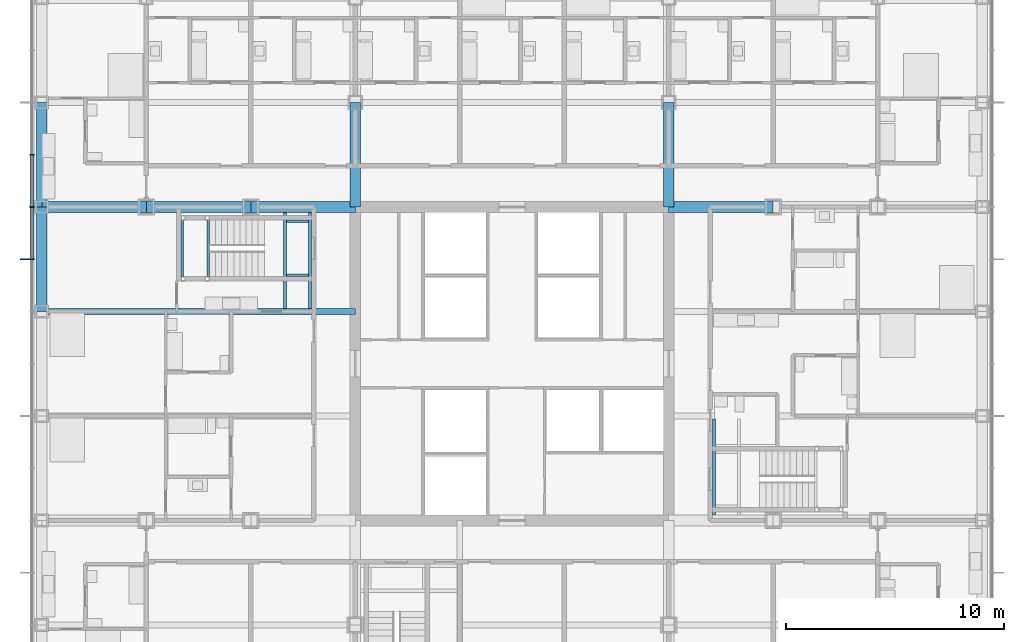
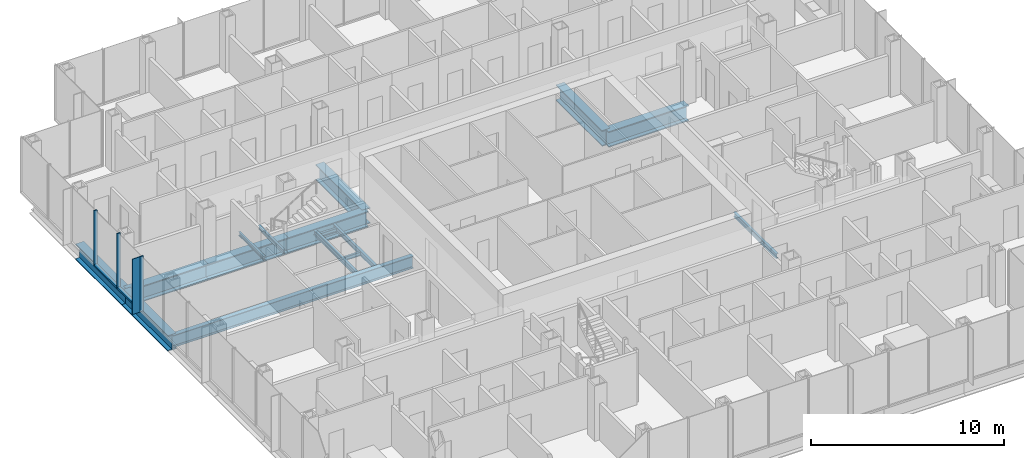
# One storey, part 8 of 22: 16 beams, 6 members, 1 element without a shape of its own.
"""IFC4 building model written with IfcOpenShell, lengths in metres."""

from ifc_helpers import new_model, si_unit, direction, frame, origin, origin_2d, place, context, subcontext, project, spatial, rectangle, i_section, extrude, material, material_profile, profile_set, type_object, element, aggregate, save


model = new_model("IFC4")

# Units and contexts
model_context = context("Model", 3, precision=1e-05, world=origin(), true_north=direction((0.0, 1.0)))
body_context = subcontext(model_context, "Body", "Model", "MODEL_VIEW")
ifc_project = project(units=[si_unit("LENGTHUNIT", "METRE"), si_unit("AREAUNIT", "SQUARE_METRE"), si_unit("VOLUMEUNIT", "CUBIC_METRE"), si_unit("PLANEANGLEUNIT", "RADIAN"), si_unit("MASSUNIT", "GRAM", prefix="KILO")], contexts=[model_context])

# Site, building, storey
site_placement = place(None, origin())
site = spatial("IfcSite", under=ifc_project, at=site_placement, CompositionType="ELEMENT")
building_placement = place(site_placement, origin())
building = spatial("IfcBuilding", under=site, at=building_placement, Name="Kvirike Care Tower", CompositionType="ELEMENT")
storey_placement = place(building_placement, frame((0.0, 0.0, 72.5)))
storey = spatial("IfcBuildingStorey", under=building, at=storey_placement, Name="L19", CompositionType="ELEMENT", Elevation=72.5)

# Curtain wall, members
ifc_material_1 = material(Name="Anodised aluminium stick system", Category="aluminium")
curtain_wall_type = type_object("IfcCurtainWallType", Name="CW-A STICK CURTAIN WALL", PredefinedType="NOTDEFINED", material=ifc_material_1)
curtain_wall_placement = place(storey_placement, origin())
curtain_wall = element("IfcCurtainWall", 1, at=curtain_wall_placement, inside=storey, type_object=curtain_wall_type, Name="Curtain wall L19 face 1", PredefinedType="NOTDEFINED")
ifc_material_2 = material(Name="Bronze anodised aluminium fin", Category="aluminium")
ifc_material_profile_1 = material_profile(ifc_material_2, rectangle(XDim=0.050048828125, YDim=0.449951171875, at=origin_2d()), Name="BRONZE FIN 450")
ifc_profile_set_1 = profile_set([ifc_material_profile_1], Name="Bronze anodised aluminium fin")
member_type_1 = type_object("IfcMemberType", Name="BRONZE FIN 450", PredefinedType="USERDEFINED", material=ifc_profile_set_1)
member_1_placement = place(storey_placement, frame((-0.77490234375, 40.800048828125, 0.0), z_axis=(0.0, 0.0, 1.0), x_axis=(0.0, -1.0, 0.0)))
member_1 = element("IfcMember", 2, at=member_1_placement, type_object=member_type_1, Name="Bronze fin L19 face 1.6", ObjectType="FIN", PredefinedType="USERDEFINED", context=body_context, shape_type="SweptSolid", body=[
    extrude(rectangle(XDim=0.050048828125, YDim=0.449951171875, at=origin_2d()), origin(), (0.0, 0.0, 1.0), 3.5),
])
ifc_material_3 = material(Name="Bronze anodised aluminium mullion", Category="aluminium")
ifc_material_profile_2 = material_profile(ifc_material_3, rectangle(XDim=0.06494140625, YDim=0.199951171875, at=origin_2d()), Name="CW-A MULLION 65x200")
ifc_profile_set_2 = profile_set([ifc_material_profile_2], Name="Bronze anodised aluminium mullion")
member_type_2 = type_object("IfcMemberType", Name="CW-A MULLION 65x200", PredefinedType="MULLION", material=ifc_profile_set_2)
member_2_placement = place(storey_placement, frame((-0.449951171875, 45.60009765625, 0.0), z_axis=(0.0, 0.0, 1.0), x_axis=(0.0, -1.0, 0.0)))
member_2 = element("IfcMember", 3, at=member_2_placement, type_object=member_type_2, Name="CW-A mullion L19 face 1.4", PredefinedType="MULLION", context=body_context, shape_type="SweptSolid", body=[
    extrude(rectangle(XDim=0.06494140625, YDim=0.199951171875, at=origin_2d()), origin(), (0.0, 0.0, 1.0), 3.5),
])
member_3_placement = place(storey_placement, frame((-0.449951171875, 43.199951171875, 0.0), z_axis=(0.0, 0.0, 1.0), x_axis=(0.0, -1.0, 0.0)))
member_3 = element("IfcMember", 4, at=member_3_placement, type_object=member_type_2, Name="CW-A mullion L19 face 1.5", PredefinedType="MULLION", context=body_context, shape_type="SweptSolid", body=[
    extrude(rectangle(XDim=0.06494140625, YDim=0.199951171875, at=origin_2d()), origin(), (0.0, 0.0, 1.0), 3.5),
])
member_4_placement = place(storey_placement, frame((-0.449951171875, 40.800048828125, 0.0), z_axis=(0.0, 0.0, 1.0), x_axis=(0.0, -1.0, 0.0)))
member_4 = element("IfcMember", 5, at=member_4_placement, type_object=member_type_2, Name="CW-A mullion L19 face 1.6", PredefinedType="MULLION", context=body_context, shape_type="SweptSolid", body=[
    extrude(rectangle(XDim=0.06494140625, YDim=0.199951171875, at=origin_2d()), origin(), (0.0, 0.0, 1.0), 3.5),
])
ifc_material_4 = material(Name="Bronze anodised aluminium transom", Category="aluminium")
ifc_material_profile_3 = material_profile(ifc_material_4, rectangle(XDim=0.199951171875, YDim=0.10009765625, at=origin_2d()), Name="CW-A TRANSOM 200x100")
ifc_profile_set_3 = profile_set([ifc_material_profile_3], Name="Bronze anodised aluminium transom")
member_type_3 = type_object("IfcMemberType", Name="CW-A TRANSOM 200x100", PredefinedType="USERDEFINED", material=ifc_profile_set_3)
member_5_placement = place(storey_placement, frame((-0.449951171875, 45.5673828125, 0.050048828125), z_axis=(0.0, -1.0, 0.0), x_axis=(1.0, 0.0, 0.0)))
member_5 = element("IfcMember", 6, at=member_5_placement, type_object=member_type_3, Name="CW-A sill transom L19 face 1.4", ObjectType="TRANSOM", PredefinedType="USERDEFINED", context=body_context, shape_type="SweptSolid", body=[
    extrude(rectangle(XDim=0.199951171875, YDim=0.10009765625, at=origin_2d()), origin(), (0.0, 0.0, 1.0), 2.3349609375),
])
member_6_placement = place(storey_placement, frame((-0.449951171875, 43.16748046875, 0.050048828125), z_axis=(0.0, -1.0, 0.0), x_axis=(1.0, 0.0, 0.0)))
member_6 = element("IfcMember", 7, at=member_6_placement, type_object=member_type_3, Name="CW-A sill transom L19 face 1.5", ObjectType="TRANSOM", PredefinedType="USERDEFINED", context=body_context, shape_type="SweptSolid", body=[
    extrude(rectangle(XDim=0.199951171875, YDim=0.10009765625, at=origin_2d()), origin(), (0.0, 0.0, 1.0), 2.3349609375),
])
aggregate(curtain_wall, [member_2, member_3, member_4, member_1, member_5, member_6])

# Beams
ifc_material_5 = material(Name="Steel S355", Category="steel")
ifc_material_profile_4 = material_profile(ifc_material_5, i_section(OverallWidth=0.26806640625, OverallDepth=0.77001953125, WebThickness=0.015625, FlangeThickness=0.025390625, FilletRadius=0.01708984375, at=origin_2d()), Name="IPE 750x196")
ifc_profile_set_4 = profile_set([ifc_material_profile_4], Name="Steel S355")
beam_type_1 = type_object("IfcBeamType", Name="FLOOR BEAM IPE 750x196", PredefinedType="BEAM", material=ifc_profile_set_4)
beam_1_placement = place(storey_placement, frame((0.0, 38.39990234375, -0.554931640625), z_axis=(1.0, 0.0, 0.0), x_axis=(0.0, 1.0, 0.0)))
element("IfcBeam", 8, at=beam_1_placement, inside=storey, type_object=beam_type_1, Name="Floor Beam J3-J6 L19", PredefinedType="BEAM", context=body_context, shape_type="SweptSolid", body=[
    extrude(i_section(OverallWidth=0.26806640625, OverallDepth=0.77001953125, WebThickness=0.015625, FlangeThickness=0.025390625, FilletRadius=0.01708984375, at=origin_2d()), origin(), (0.0, 0.0, 1.0), 14.39990234375),
])
ifc_material_6 = material(Name="Steel S355", Category="steel")
ifc_material_profile_5 = material_profile(ifc_material_6, i_section(OverallWidth=0.5, OverallDepth=1.0, WebThickness=0.030029296875, FlangeThickness=0.06005859375, at=origin_2d()), Name="PG 1000x500x30x60")
ifc_profile_set_5 = profile_set([ifc_material_profile_5], Name="Steel S355")
beam_type_2 = type_object("IfcBeamType", Name="FRAME BEAM PG 1000x500x30x60", PredefinedType="BEAM", material=ifc_profile_set_5)
for number, where, z_axis, x_axis, name in (
    (9, (0.0, 43.199951171875, -0.669921875), (1.0, 0.0, 0.0), (0.0, 1.0, 0.0), "Frame Beam K3-K4 L19"),
    (10, (4.800048828125, 43.199951171875, -0.669921875), (1.0, 0.0, 0.0), (0.0, 1.0, 0.0), "Frame Beam K4-K5 L19"),
):
    element("IfcBeam", number, at=place(storey_placement, frame(where, z_axis=z_axis, x_axis=x_axis)), inside=storey, type_object=beam_type_2, Name=name, PredefinedType="BEAM", context=body_context, shape_type="SweptSolid", body=[
        extrude(i_section(OverallWidth=0.5, OverallDepth=1.0, WebThickness=0.030029296875, FlangeThickness=0.06005859375, at=origin_2d()), origin(), (0.0, 0.0, 1.0), 4.800048828125),
    ])
beam_2_placement = place(storey_placement, frame((9.60009765625, 43.199951171875, -0.669921875), z_axis=(1.0, 0.0, 0.0), x_axis=(0.0, 1.0, 0.0)))
element("IfcBeam", 11, at=beam_2_placement, inside=storey, type_object=beam_type_2, Name="Frame Beam K5-K6 L19", PredefinedType="BEAM", context=body_context, shape_type="SweptSolid", body=[
    extrude(i_section(OverallWidth=0.5, OverallDepth=1.0, WebThickness=0.030029296875, FlangeThickness=0.06005859375, at=origin_2d()), origin(), (0.0, 0.0, 1.0), 4.7998046875),
])
for number, where, z_axis, x_axis, name in (
    (12, (28.800048828125, 43.199951171875, -0.669921875), (1.0, 0.0, 0.0), (0.0, 1.0, 0.0), "Frame Beam K9-K10 L19"),
    (13, (14.39990234375, 43.199951171875, -0.669921875), (0.0, 1.0, 0.0), (-1.0, 0.0, 0.0), "Frame Beam K6-L6 L19"),
    (14, (28.800048828125, 43.199951171875, -0.669921875), (0.0, 1.0, 0.0), (-1.0, 0.0, 0.0), "Frame Beam K9-L9 L19"),
):
    element("IfcBeam", number, at=place(storey_placement, frame(where, z_axis=z_axis, x_axis=x_axis)), inside=storey, type_object=beam_type_2, Name=name, PredefinedType="BEAM", context=body_context, shape_type="SweptSolid", body=[
        extrude(i_section(OverallWidth=0.5, OverallDepth=1.0, WebThickness=0.030029296875, FlangeThickness=0.06005859375, at=origin_2d()), origin(), (0.0, 0.0, 1.0), 4.800048828125),
    ])
ifc_material_7 = material(Name="Steel S355", Category="steel")
ifc_material_profile_6 = material_profile(ifc_material_7, i_section(OverallWidth=0.5, OverallDepth=1.0, WebThickness=0.030029296875, FlangeThickness=0.06005859375, at=origin_2d()), Name="PG 1000x500x30x60")
ifc_profile_set_6 = profile_set([ifc_material_profile_6], Name="Steel S355")
beam_type_3 = type_object("IfcBeamType", Name="SPANDREL PG 1000x500x30x60", PredefinedType="SPANDREL", material=ifc_profile_set_6)
for number, where, z_axis, x_axis, name in (
    (15, (0.0, 38.39990234375, -0.669921875), (0.0, 1.0, 0.0), (-1.0, 0.0, 0.0), "Spandrel J3-K3 L19"),
    (16, (0.0, 43.199951171875, -0.669921875), (0.0, 1.0, 0.0), (-1.0, 0.0, 0.0), "Spandrel K3-L3 L19"),
):
    element("IfcBeam", number, at=place(storey_placement, frame(where, z_axis=z_axis, x_axis=x_axis)), inside=storey, type_object=beam_type_3, Name=name, PredefinedType="SPANDREL", context=body_context, shape_type="SweptSolid", body=[
        extrude(i_section(OverallWidth=0.5, OverallDepth=1.0, WebThickness=0.030029296875, FlangeThickness=0.06005859375, at=origin_2d()), origin(), (0.0, 0.0, 1.0), 4.800048828125),
    ])
ifc_material_8 = material(Name="Steel S355", Category="steel")
ifc_material_profile_7 = material_profile(ifc_material_8, i_section(OverallWidth=0.1201171875, OverallDepth=0.239990234375, WebThickness=0.006103515625, FlangeThickness=0.009765625, FilletRadius=0.014892578125, at=origin_2d()), Name="IPE 240")
ifc_profile_set_7 = profile_set([ifc_material_profile_7], Name="Steel S355")
beam_type_4 = type_object("IfcBeamType", Name="STAIR LANDING BEAM IPE 240", PredefinedType="BEAM", material=ifc_profile_set_7)
for number, where, z_axis, x_axis, name in (
    (17, (6.4599609375, 42.60009765625, 1.429931640625), (0.0, -1.0, 0.0), (1.0, 0.0, 0.0), "Stair 1 landing beam back L19"),
    (18, (7.639892578125, 42.60009765625, 1.429931640625), (0.0, -1.0, 0.0), (1.0, 0.0, 0.0), "Stair 1 landing beam front L19"),
):
    element("IfcBeam", number, at=place(storey_placement, frame(where, z_axis=z_axis, x_axis=x_axis)), inside=storey, type_object=beam_type_4, Name=name, PredefinedType="BEAM", context=body_context, shape_type="SweptSolid", body=[
        extrude(i_section(OverallWidth=0.1201171875, OverallDepth=0.239990234375, WebThickness=0.006103515625, FlangeThickness=0.009765625, FilletRadius=0.014892578125, at=origin_2d()), origin(), (0.0, 0.0, 1.0), 2.60009765625),
    ])
for number, where, z_axis, x_axis, name in (
    (19, (11.25, 42.5400390625, -0.320068359375), (1.0, 0.0, 0.0), (0.0, 1.0, 0.0), "Stair 1 landing edge beam 1 L19"),
    (20, (11.25, 40.06005859375, -0.320068359375), (1.0, 0.0, 0.0), (0.0, 1.0, 0.0), "Stair 1 landing edge beam 2 L19"),
):
    element("IfcBeam", number, at=place(storey_placement, frame(where, z_axis=z_axis, x_axis=x_axis)), inside=storey, type_object=beam_type_4, Name=name, PredefinedType="BEAM", context=body_context, shape_type="SweptSolid", body=[
        extrude(i_section(OverallWidth=0.1201171875, OverallDepth=0.239990234375, WebThickness=0.006103515625, FlangeThickness=0.009765625, FilletRadius=0.014892578125, at=origin_2d()), origin(), (0.0, 0.0, 1.0), 1.0),
    ])
ifc_material_9 = material(Name="Steel S355", Category="steel")
ifc_material_profile_8 = material_profile(ifc_material_9, i_section(OverallWidth=0.14990234375, OverallDepth=0.300048828125, WebThickness=0.007080078125, FlangeThickness=0.0107421875, FilletRadius=0.014892578125, at=origin_2d()), Name="IPE 300")
ifc_profile_set_8 = profile_set([ifc_material_profile_8], Name="Steel S355")
beam_type_5 = type_object("IfcBeamType", Name="STAIR TRIMMER IPE 300", PredefinedType="BEAM", material=ifc_profile_set_8)
for number, where, z_axis, x_axis, name in (
    (21, (11.175048828125, 42.949951171875, -0.35009765625), (0.0, -1.0, 0.0), (1.0, 0.0, 0.0), "Stair 1 trimmer 1 L19"),
    (22, (12.324951171875, 42.949951171875, -0.35009765625), (0.0, -1.0, 0.0), (1.0, 0.0, 0.0), "Stair 1 trimmer 2 L19"),
    (23, (30.875, 29.050048828125, -0.35009765625), (0.0, 1.0, 0.0), (-1.0, 0.0, 0.0), "Stair 2 trimmer 2 L19"),
):
    element("IfcBeam", number, at=place(storey_placement, frame(where, z_axis=z_axis, x_axis=x_axis)), inside=storey, type_object=beam_type_5, Name=name, PredefinedType="BEAM", context=body_context, shape_type="SweptSolid", body=[
        extrude(i_section(OverallWidth=0.14990234375, OverallDepth=0.300048828125, WebThickness=0.007080078125, FlangeThickness=0.0107421875, FilletRadius=0.014892578125, at=origin_2d()), origin(), (0.0, 0.0, 1.0), 4.416015625),
    ])

save(model, "model.ifc")
